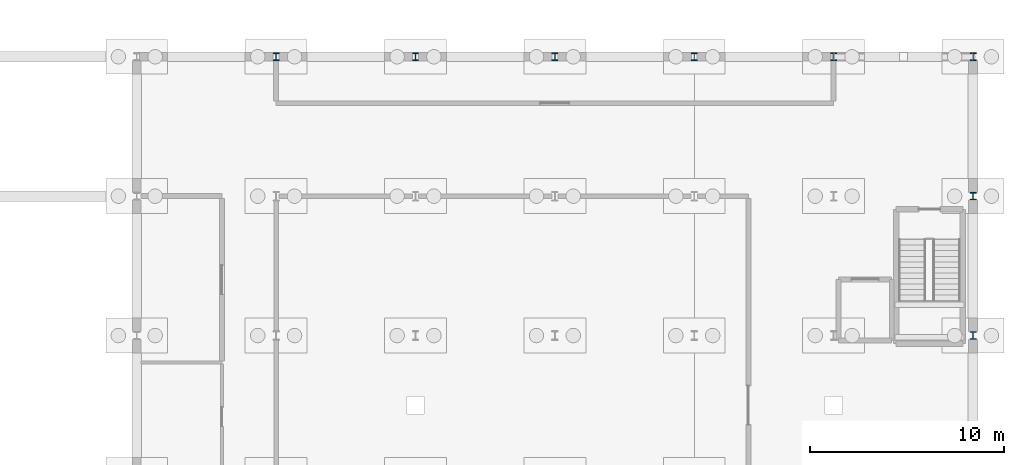
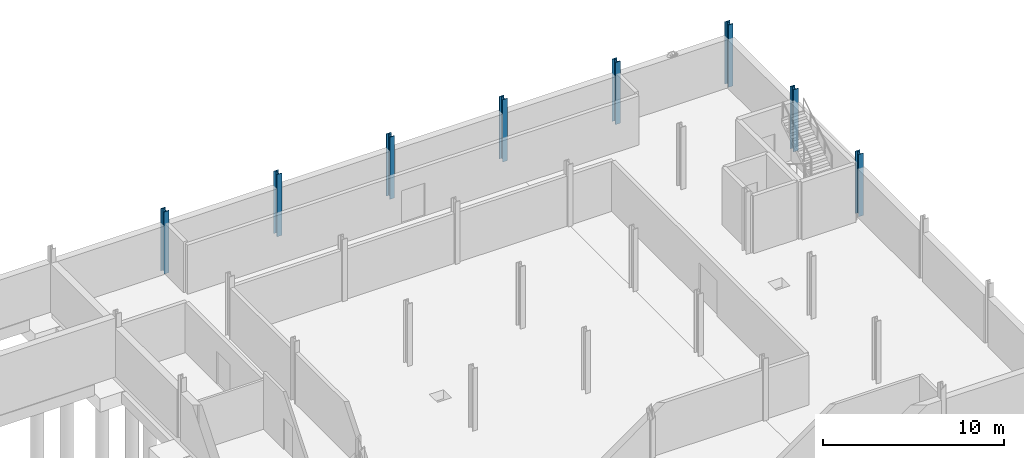
# One storey, part 27 of 50: 8 columns.
"""IFC4 building model written with IfcOpenShell, lengths in metres."""

from ifc_helpers import new_model, si_unit, direction, frame, origin, origin_2d, place, context, subcontext, project, spatial, i_section, extrude, material, material_profile, profile_set, type_object, element, save


model = new_model("IFC4")

# Units and contexts
model_context = context("Model", 3, precision=1e-05, world=origin(), true_north=direction((0.0, 1.0)))
body_context = subcontext(model_context, "Body", "Model", "MODEL_VIEW")
ifc_project = project(units=[si_unit("LENGTHUNIT", "METRE"), si_unit("AREAUNIT", "SQUARE_METRE"), si_unit("VOLUMEUNIT", "CUBIC_METRE"), si_unit("PLANEANGLEUNIT", "RADIAN"), si_unit("MASSUNIT", "GRAM", prefix="KILO")], contexts=[model_context])

# Site, building, storey
site_placement = place(None, origin())
site = spatial("IfcSite", under=ifc_project, at=site_placement, CompositionType="ELEMENT")
building_placement = place(site_placement, origin())
building = spatial("IfcBuilding", under=site, at=building_placement, Name="Narikvali Park Central Library", CompositionType="ELEMENT")
storey_placement = place(building_placement, frame((0.0, 0.0, -4.199951171875)))
storey = spatial("IfcBuildingStorey", under=building, at=storey_placement, Name="B1", CompositionType="ELEMENT", Elevation=-4.199951171875)

# Columns
ifc_material = material(Name="Steel S355", Category="steel")
ifc_material_profile = material_profile(ifc_material, i_section(OverallWidth=0.30810546875, OverallDepth=0.39501953125, WebThickness=0.02099609375, FlangeThickness=0.035888671875, FilletRadius=0.027099609375, at=origin_2d()), Name="HEM 360")
ifc_profile_set = profile_set([ifc_material_profile], Name="Steel S355")
column_type = type_object("IfcColumnType", Name="Steel Column HEM360", PredefinedType="COLUMN", material=ifc_profile_set)
for number, where, z_axis, x_axis, name in (
    (1, (129.60009765625, 115.199951171875, 0.0), (0.0, 0.0, 1.0), (1.0, 0.0, 0.0), "V3 B1 Column (129.6,115.2)"),
    (2, (136.800048828125, 115.199951171875, 0.0), (0.0, 0.0, 1.0), (1.0, 0.0, 0.0), "V3 B1 Column (136.8,115.2)"),
    (3, (144.0, 115.199951171875, 0.0), (0.0, 0.0, 1.0), (1.0, 0.0, 0.0), "V3 B1 Column (144.0,115.2)"),
    (4, (151.199951171875, 115.199951171875, 0.0), (0.0, 0.0, 1.0), (1.0, 0.0, 0.0), "V3 B1 Column (151.2,115.2)"),
    (5, (158.39990234375, 115.199951171875, 0.0), (0.0, 0.0, 1.0), (1.0, 0.0, 0.0), "V3 B1 Column (158.4,115.2)"),
    (6, (165.60009765625, 100.800048828125, 0.0), (0.0, 0.0, 1.0), (1.0, 0.0, 0.0), "V3 B1 Column (165.6,100.8)"),
    (7, (165.60009765625, 108.0, 0.0), (0.0, 0.0, 1.0), (1.0, 0.0, 0.0), "V3 B1 Column (165.6,108.0)"),
    (8, (165.60009765625, 115.199951171875, 0.0), (0.0, 0.0, 1.0), (1.0, 0.0, 0.0), "V3 B1 Column (165.6,115.2)"),
):
    element("IfcColumn", number, at=place(storey_placement, frame(where, z_axis=z_axis, x_axis=x_axis)), inside=storey, type_object=column_type, Name=name, PredefinedType="COLUMN", context=body_context, shape_type="SweptSolid", body=[
        extrude(i_section(OverallWidth=0.30810546875, OverallDepth=0.39501953125, WebThickness=0.02099609375, FlangeThickness=0.035888671875, FilletRadius=0.027099609375, at=origin_2d()), origin(), (0.0, 0.0, 1.0), 4.199951171875),
    ])

save(model, "model.ifc")
